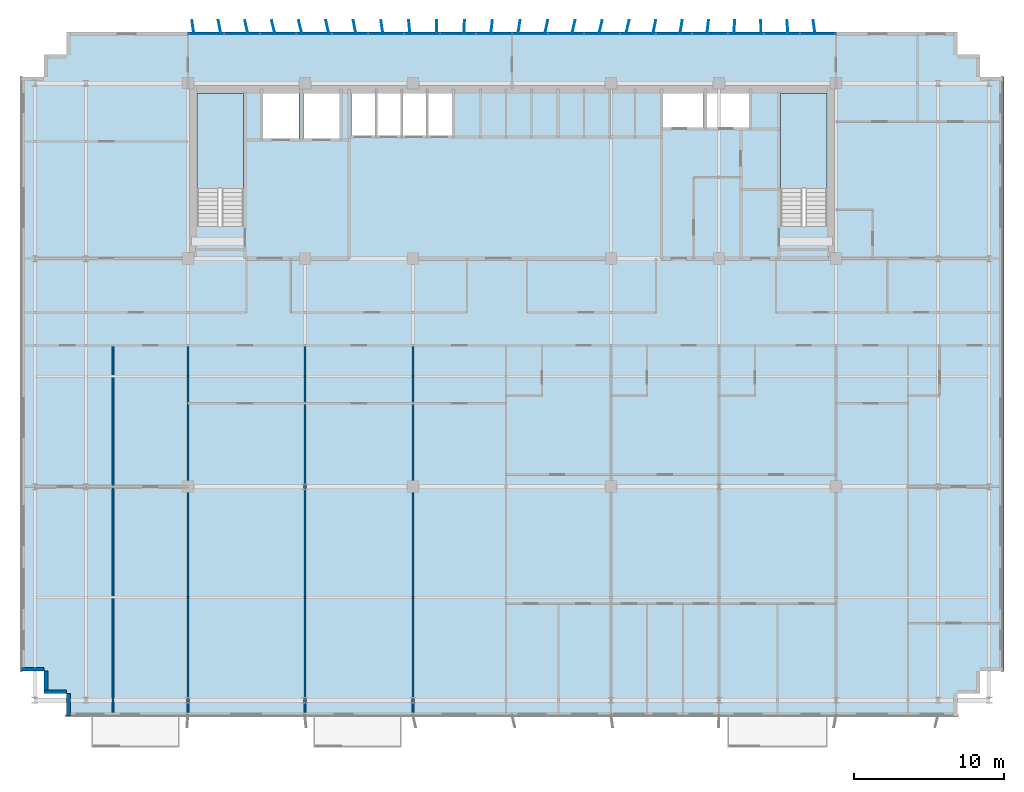
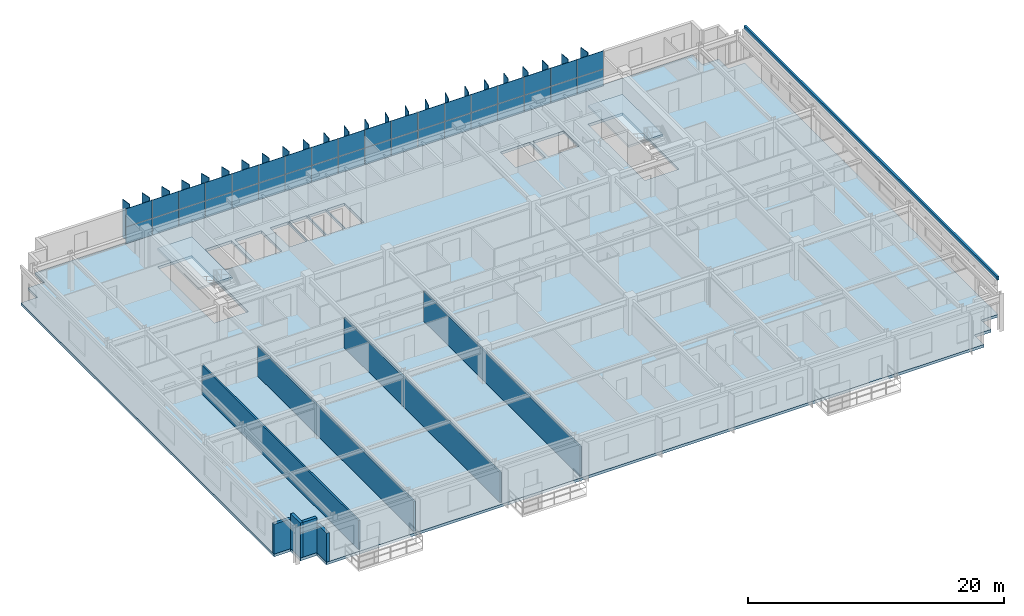
# One storey, part 13 of 22: 61 plates, 8 walls, 3 slabs, 3 elements without a shape of their own.
"""IFC4 building model written with IfcOpenShell, lengths in metres."""

from ifc_helpers import new_model, si_unit, direction, frame, frame_2d, origin, origin_2d, place, context, subcontext, project, spatial, polyline, rectangle, outline, extrude, source, transform, mapped, material, layer, layer_set, type_object, element, aggregate, save


model = new_model("IFC4")

# Units and contexts
model_context = context("Model", 3, precision=1e-05, world=origin(), true_north=direction((0.0, 1.0)))
body_context = subcontext(model_context, "Body", "Model", "MODEL_VIEW")
ifc_project = project(units=[si_unit("LENGTHUNIT", "METRE"), si_unit("AREAUNIT", "SQUARE_METRE"), si_unit("VOLUMEUNIT", "CUBIC_METRE"), si_unit("PLANEANGLEUNIT", "RADIAN"), si_unit("MASSUNIT", "GRAM", prefix="KILO")], contexts=[model_context])

# Site, building, storey
site_placement = place(None, origin())
site = spatial("IfcSite", under=ifc_project, at=site_placement, CompositionType="ELEMENT")
building_placement = place(site_placement, origin())
building = spatial("IfcBuilding", under=site, at=building_placement, Name="Trelvane Seafront Commons", CompositionType="ELEMENT")
storey_placement = place(building_placement, frame((0.0, 0.0, 88.89990234375)))
storey = spatial("IfcBuildingStorey", under=building, at=storey_placement, Name="L22", CompositionType="ELEMENT", Elevation=88.89990234375)

# Stair, slab
ifc_material_1 = material(Name="Concrete C40/50", Category="concrete")
stair_type_1 = type_object("IfcStairType", Name="ARCH-STR-ST-1-R20-180", PredefinedType="HALF_TURN_STAIR", material=ifc_material_1)
stair_1_placement = place(storey_placement, origin())
stair_1 = element("IfcStair", 1, at=stair_1_placement, inside=storey, type_object=stair_type_1, Name="L22 West Protected Firefighting Exit Stair ST-1", PredefinedType="HALF_TURN_STAIR")
ifc_layer_1 = layer(ifc_material_1, 0.199951171875, Name="ARCH-LND-200")
ifc_layer_set_1 = layer_set([ifc_layer_1], Name="Concrete C40/50")
slab_type_1 = type_object("IfcSlabType", Name="ARCH-LND-200", PredefinedType="LANDING", material=ifc_layer_set_1)
slab_1_placement = place(storey_placement, frame((0.0, 0.0, 1.60009765625)))
slab_1 = element("IfcSlab", 2, at=slab_1_placement, type_object=slab_type_1, Name="ST-1 landing 1", PredefinedType="LANDING", context=body_context, shape_type="SweptSolid", body=[
    extrude(outline(polyline([(19.300048828125, 38.070068359375), (19.300048828125, 44.39990234375), (16.199951171875, 44.39990234375), (16.199951171875, 38.070068359375), (19.300048828125, 38.070068359375)])), origin(), (0.0, 0.0, 1.0), 0.199951171875),
])
aggregate(stair_1, [slab_1])

stair_type_2 = type_object("IfcStairType", Name="ARCH-STR-ST-2-R20-180", PredefinedType="HALF_TURN_STAIR", material=ifc_material_1)
stair_2_placement = place(storey_placement, origin())
stair_2 = element("IfcStair", 3, at=stair_2_placement, inside=storey, type_object=stair_type_2, Name="L22 East Protected Firefighting Exit Stair ST-2", PredefinedType="HALF_TURN_STAIR")
slab_2_placement = place(storey_placement, frame((0.0, 0.0, 1.60009765625)))
slab_2 = element("IfcSlab", 4, at=slab_2_placement, type_object=slab_type_1, Name="ST-2 landing 1", PredefinedType="LANDING", context=body_context, shape_type="SweptSolid", body=[
    extrude(outline(polyline([(58.199951171875, 38.070068359375), (58.199951171875, 44.39990234375), (55.10009765625, 44.39990234375), (55.10009765625, 38.070068359375), (58.199951171875, 38.070068359375)])), origin(), (0.0, 0.0, 1.0), 0.199951171875),
])
aggregate(stair_2, [slab_2])

# Slab
ifc_material_2 = material(Name="Concrete C50/60", Category="concrete")
ifc_layer_2 = layer(ifc_material_2, 0.260009765625, Name="STR-SLB-Z1-260")
ifc_layer_set_2 = layer_set([ifc_layer_2], Name="Concrete C50/60")
slab_type_2 = type_object("IfcSlabType", Name="STR-SLB-Z1-260", PredefinedType="FLOOR", material=ifc_layer_set_2)
slab_3_placement = place(storey_placement, frame((0.0, 0.0, -0.260009765625)))
element("IfcSlab", 5, at=slab_3_placement, inside=storey, type_object=slab_type_2, Name="L22 Structural Floor Slab", PredefinedType="FLOOR", context=body_context, shape_type="SweptSolid", body=[
    extrude(outline(polyline([(7.5, 2.89990234375), (66.89990234375, 2.89990234375), (66.89990234375, 4.39990234375), (68.39990234375, 4.39990234375), (68.39990234375, 5.89990234375), (69.89990234375, 5.89990234375), (69.89990234375, 45.5), (68.39990234375, 45.5), (68.39990234375, 47.0), (66.89990234375, 47.0), (66.89990234375, 48.5), (7.5, 48.5), (7.5, 47.0), (6.0, 47.0), (6.0, 45.5), (4.5, 45.5), (4.5, 5.89990234375), (6.0, 5.89990234375), (6.0, 4.39990234375), (7.5, 4.39990234375), (7.5, 2.89990234375)]), holes=[polyline([(19.300048828125, 35.550048828125), (16.199951171875, 35.550048828125), (16.199951171875, 44.39990234375), (19.300048828125, 44.39990234375), (19.300048828125, 35.550048828125)]), polyline([(58.199951171875, 35.550048828125), (55.10009765625, 35.550048828125), (55.10009765625, 44.39990234375), (58.199951171875, 44.39990234375), (58.199951171875, 35.550048828125)]), polyline([(23.0, 41.39990234375), (20.60009765625, 41.39990234375), (20.60009765625, 44.60009765625), (23.0, 44.60009765625), (23.0, 41.39990234375)]), polyline([(23.300048828125, 41.39990234375), (23.300048828125, 44.60009765625), (25.699951171875, 44.60009765625), (25.699951171875, 41.39990234375), (23.300048828125, 41.39990234375)]), polyline([(26.5, 41.60009765625), (26.5, 44.60009765625), (28.1201171875, 44.60009765625), (28.1201171875, 41.60009765625), (26.5, 41.60009765625)]), polyline([(29.820068359375, 41.60009765625), (28.199951171875, 41.60009765625), (28.199951171875, 44.60009765625), (29.820068359375, 44.60009765625), (29.820068359375, 41.60009765625)]), polyline([(31.52001953125, 41.60009765625), (29.89990234375, 41.60009765625), (29.89990234375, 44.60009765625), (31.52001953125, 44.60009765625), (31.52001953125, 41.60009765625)]), polyline([(33.219970703125, 41.60009765625), (31.60009765625, 41.60009765625), (31.60009765625, 44.60009765625), (33.219970703125, 44.60009765625), (33.219970703125, 41.60009765625)]), polyline([(47.25, 42.14990234375), (47.25, 44.550048828125), (49.949951171875, 44.550048828125), (49.949951171875, 42.14990234375), (47.25, 42.14990234375)]), polyline([(50.199951171875, 42.14990234375), (50.199951171875, 44.550048828125), (53.0, 44.550048828125), (53.0, 42.14990234375), (50.199951171875, 42.14990234375)])]), origin(), (0.0, 0.0, 1.0), 0.260009765625),
])

# Plates
ifc_material_3 = material(Name="Anodised pale-silver aluminium", Category="aluminium")
ifc_layer_3 = layer(ifc_material_3, 0.06005859375, Name="ARCH-PLATE-FIN900")
ifc_layer_set_3 = layer_set([ifc_layer_3], Name="Anodised pale-silver aluminium")
plate_type_1 = type_object("IfcPlateType", Name="ARCH-PLATE-FIN900", PredefinedType="USERDEFINED", material=ifc_layer_set_3)
shared_shape_1 = source(origin(), body_context, "Body", "SweptSolid", [
    extrude(rectangle(XDim=0.89990234375, YDim=0.06005859375, at=origin_2d()), origin(), (0.0, 0.0, 1.0), 3.639892578125),
])
for number, where, z_axis, x_axis, name in (
    (6, (15.938232421875, 48.845703125, -0.02001953125), (0.0, 0.0, 1.0), (-0.137219803033, 0.99054062292, 0.0), "FIN-L22-00519"),
    (7, (17.71630859375, 48.84228515625, -0.02001953125), (0.0, 0.0, 1.0), (-0.185891273285, 0.982570320393, 0.0), "FIN-L22-00520"),
    (8, (19.500732421875, 48.8388671875, -0.02001953125), (0.0, 0.0, 1.0), (-0.22067019824, 0.975348483163, 0.0), "FIN-L22-00521"),
    (9, (21.29248046875, 48.8369140625, -0.02001953125), (0.0, 0.0, 1.0), (-0.239109698229, 0.970992560328, 0.0), "FIN-L22-00522"),
    (10, (23.091796875, 48.8369140625, -0.02001953125), (0.0, 0.0, 1.0), (-0.240234819351, 0.970714804446, 0.0), "FIN-L22-00523"),
    (11, (24.8994140625, 48.838623046875, -0.02001953125), (0.0, 0.0, 1.0), (-0.223772376661, 0.974641433268, 0.0), "FIN-L22-00524"),
    (12, (26.714111328125, 48.841796875, -0.02001953125), (0.0, 0.0, 1.0), (-0.190879238656, 0.981613526929, 0.0), "FIN-L22-00525"),
    (13, (28.535400390625, 48.84521484375, -0.02001953125), (0.0, 0.0, 1.0), (-0.143660164883, 0.989627079776, 0.0), "FIN-L22-00526"),
    (14, (30.361572265625, 48.848388671875, -0.02001953125), (0.0, 0.0, 1.0), (-0.085444746314, 0.996342910512, 0.0), "FIN-L22-00527"),
    (15, (32.190673828125, 48.849853515625, -0.02001953125), (0.0, 0.0, 1.0), (-0.020666717548, 0.999786420585, 0.0), "FIN-L22-00528"),
    (16, (34.0205078125, 48.849609375, -0.02001953125), (0.0, 0.0, 1.0), (0.045776201453, 0.998951720245, 0.0), "FIN-L22-00529"),
    (17, (35.848876953125, 48.847412109375, -0.02001953125), (0.0, 0.0, 1.0), (0.108663882778, 0.994078548496, 0.0), "FIN-L22-00530"),
    (18, (37.67333984375, 48.843994140625, -0.02001953125), (0.0, 0.0, 1.0), (0.163119331471, 0.986606346878, 0.0), "FIN-L22-00531"),
    (19, (39.492431640625, 48.84033203125, -0.02001953125), (0.0, 0.0, 1.0), (0.205232334092, 0.978713282347, 0.0), "FIN-L22-00532"),
    (20, (41.304443359375, 48.837646484375, -0.02001953125), (0.0, 0.0, 1.0), (0.232011056211, 0.972713148773, 0.0), "FIN-L22-00533"),
    (21, (43.10888671875, 48.836669921875, -0.02001953125), (0.0, 0.0, 1.0), (0.241881251735, 0.970305859025, 0.0), "FIN-L22-00534"),
    (22, (44.9052734375, 48.83740234375, -0.02001953125), (0.0, 0.0, 1.0), (0.234108877762, 0.972210385335, 0.0), "FIN-L22-00535"),
    (23, (46.694091796875, 48.840087890625, -0.02001953125), (0.0, 0.0, 1.0), (0.209217505168, 0.977869130064, 0.0), "FIN-L22-00536"),
    (24, (48.47607421875, 48.843505859375, -0.02001953125), (0.0, 0.0, 1.0), (0.168883332452, 0.985636048458, 0.0), "FIN-L22-00537"),
    (25, (50.251953125, 48.846923828125, -0.02001953125), (0.0, 0.0, 1.0), (0.115661832586, 0.993288649126, 0.0), "FIN-L22-00538"),
    (26, (52.024169921875, 48.849365234375, -0.02001953125), (0.0, 0.0, 1.0), (0.053555973018, 0.998564849048, 0.0), "FIN-L22-00539"),
    (27, (53.794189453125, 48.849853515625, -0.02001953125), (0.0, 0.0, 1.0), (-0.012667260923, 0.999919767032, 0.0), "FIN-L22-00540"),
    (28, (55.56494140625, 48.8486328125, -0.02001953125), (0.0, 0.0, 1.0), (-0.077996260859, 0.996953651526, 0.0), "FIN-L22-00541"),
    (29, (57.33837890625, 48.845703125, -0.02001953125), (0.0, 0.0, 1.0), (-0.137219803033, 0.99054062292, 0.0), "FIN-L22-00542"),
):
    element("IfcPlate", number, at=place(storey_placement, frame(where, z_axis=z_axis, x_axis=x_axis)), inside=storey, type_object=plate_type_1, Name=name, ObjectType="FIN", PredefinedType="USERDEFINED", context=body_context, shape_type="MappedRepresentation", body=[
        mapped(shared_shape_1, transform((0.0, 0.0, 0.0), x_axis=(1.0, 0.0, 0.0), y_axis=(0.0, 1.0, 0.0), z_axis=(0.0, 0.0, 1.0), scale=1.0)),
    ])
ifc_layer_4 = layer(ifc_material_3, 0.179931640625, Name="ARCH-PLATE-AERO")
ifc_layer_set_4 = layer_set([ifc_layer_4], Name="Anodised pale-silver aluminium")
plate_type_2 = type_object("IfcPlateType", Name="ARCH-PLATE-AERO", PredefinedType="SHEET", material=ifc_layer_set_4)
shared_shape_2 = source(origin(), body_context, "Body", "SweptSolid", [
    extrude(rectangle(XDim=39.60009765625, YDim=0.179931640625, at=origin_2d()), origin(), (0.0, 0.0, 1.0), 0.340087890625),
])
plate_1_placement = place(storey_placement, frame((69.89990234375, 25.699951171875, 3.2802734375), z_axis=(0.0, 0.0, 1.0), x_axis=(0.0, -1.0, 0.0)))
element("IfcPlate", 30, at=plate_1_placement, inside=storey, type_object=plate_type_2, Name="AER-L22-00079", PredefinedType="SHEET", context=body_context, shape_type="MappedRepresentation", body=[
    mapped(shared_shape_2, transform((0.0, 0.0, 0.0), x_axis=(1.0, 0.0, 0.0), y_axis=(0.0, 1.0, 0.0), z_axis=(0.0, 0.0, 1.0), scale=1.0)),
])

# Curtain wall, plates
curtain_wall_type = type_object("IfcCurtainWallType", Name="ARCH-CW4-SKYLOBBY", PredefinedType="NOTDEFINED", material=ifc_material_3)
curtain_wall_placement = place(storey_placement, origin())
curtain_wall = element("IfcCurtainWall", 31, at=curtain_wall_placement, inside=storey, type_object=curtain_wall_type, Name="CW-L22-0047", PredefinedType="NOTDEFINED")
ifc_material_4 = material(Name="Low-E coastal double glazing", Category="glass")
ifc_layer_5 = layer(ifc_material_4, 0.033935546875, Name="ARCH-CW-GLAZ-34")
ifc_layer_set_5 = layer_set([ifc_layer_5], Name="Low-E coastal double glazing")
plate_type_3 = type_object("IfcPlateType", Name="ARCH-CW-GLAZ-34", PredefinedType="CURTAIN_PANEL", material=ifc_layer_set_5)
shared_shape_3 = source(origin(), body_context, "Body", "SweptSolid", [
    extrude(rectangle(XDim=2.3759765625, YDim=0.0400390625, at=origin_2d()), origin(), (0.0, 0.0, 1.0), 1.5849609375),
])
plate_2_placement = place(storey_placement, frame((16.800048828125, 48.3701171875, 0.0), z_axis=(0.0, 0.0, 1.0), x_axis=(1.0, 0.0, 0.0)))
plate_2 = element("IfcPlate", 32, at=plate_2_placement, type_object=plate_type_3, Name="CW-L22-0047-P00-1", PredefinedType="CURTAIN_PANEL", context=body_context, shape_type="MappedRepresentation", body=[
    mapped(shared_shape_3, transform((0.0, 0.0, 0.0), x_axis=(1.0, 0.0, 0.0), y_axis=(0.0, 1.0, 0.0), z_axis=(0.0, 0.0, 1.0), scale=1.0)),
])
plate_3_placement = place(storey_placement, frame((19.199951171875, 48.3701171875, 0.0), z_axis=(0.0, 0.0, 1.0), x_axis=(1.0, 0.0, 0.0)))
plate_3 = element("IfcPlate", 33, at=plate_3_placement, type_object=plate_type_3, Name="CW-L22-0047-P01-1", PredefinedType="CURTAIN_PANEL", context=body_context, shape_type="MappedRepresentation", body=[
    mapped(shared_shape_3, transform((0.0, 0.0, 0.0), x_axis=(1.0, 0.0, 0.0), y_axis=(0.0, 1.0, 0.0), z_axis=(0.0, 0.0, 1.0), scale=1.0)),
])
plate_4_placement = place(storey_placement, frame((21.60009765625, 48.3701171875, 0.0), z_axis=(0.0, 0.0, 1.0), x_axis=(1.0, 0.0, 0.0)))
plate_4 = element("IfcPlate", 34, at=plate_4_placement, type_object=plate_type_3, Name="CW-L22-0047-P02-1", PredefinedType="CURTAIN_PANEL", context=body_context, shape_type="MappedRepresentation", body=[
    mapped(shared_shape_3, transform((0.0, 0.0, 0.0), x_axis=(1.0, 0.0, 0.0), y_axis=(0.0, 1.0, 0.0), z_axis=(0.0, 0.0, 1.0), scale=1.0)),
])
plate_5_placement = place(storey_placement, frame((24.0, 48.3701171875, 0.0), z_axis=(0.0, 0.0, 1.0), x_axis=(1.0, 0.0, 0.0)))
plate_5 = element("IfcPlate", 35, at=plate_5_placement, type_object=plate_type_3, Name="CW-L22-0047-P03-1", PredefinedType="CURTAIN_PANEL", context=body_context, shape_type="MappedRepresentation", body=[
    mapped(shared_shape_3, transform((0.0, 0.0, 0.0), x_axis=(1.0, 0.0, 0.0), y_axis=(0.0, 1.0, 0.0), z_axis=(0.0, 0.0, 1.0), scale=1.0)),
])
plate_6_placement = place(storey_placement, frame((26.39990234375, 48.3701171875, 0.0), z_axis=(0.0, 0.0, 1.0), x_axis=(1.0, 0.0, 0.0)))
plate_6 = element("IfcPlate", 36, at=plate_6_placement, type_object=plate_type_3, Name="CW-L22-0047-P04-1", PredefinedType="CURTAIN_PANEL", context=body_context, shape_type="MappedRepresentation", body=[
    mapped(shared_shape_3, transform((0.0, 0.0, 0.0), x_axis=(1.0, 0.0, 0.0), y_axis=(0.0, 1.0, 0.0), z_axis=(0.0, 0.0, 1.0), scale=1.0)),
])
plate_7_placement = place(storey_placement, frame((28.800048828125, 48.3701171875, 0.0), z_axis=(0.0, 0.0, 1.0), x_axis=(1.0, 0.0, 0.0)))
plate_7 = element("IfcPlate", 37, at=plate_7_placement, type_object=plate_type_3, Name="CW-L22-0047-P05-1", PredefinedType="CURTAIN_PANEL", context=body_context, shape_type="MappedRepresentation", body=[
    mapped(shared_shape_3, transform((0.0, 0.0, 0.0), x_axis=(1.0, 0.0, 0.0), y_axis=(0.0, 1.0, 0.0), z_axis=(0.0, 0.0, 1.0), scale=1.0)),
])
plate_8_placement = place(storey_placement, frame((31.199951171875, 48.3701171875, 0.0), z_axis=(0.0, 0.0, 1.0), x_axis=(1.0, 0.0, 0.0)))
plate_8 = element("IfcPlate", 38, at=plate_8_placement, type_object=plate_type_3, Name="CW-L22-0047-P06-1", PredefinedType="CURTAIN_PANEL", context=body_context, shape_type="MappedRepresentation", body=[
    mapped(shared_shape_3, transform((0.0, 0.0, 0.0), x_axis=(1.0, 0.0, 0.0), y_axis=(0.0, 1.0, 0.0), z_axis=(0.0, 0.0, 1.0), scale=1.0)),
])
plate_9_placement = place(storey_placement, frame((33.60009765625, 48.3701171875, 0.0), z_axis=(0.0, 0.0, 1.0), x_axis=(1.0, 0.0, 0.0)))
plate_9 = element("IfcPlate", 39, at=plate_9_placement, type_object=plate_type_3, Name="CW-L22-0047-P07-1", PredefinedType="CURTAIN_PANEL", context=body_context, shape_type="MappedRepresentation", body=[
    mapped(shared_shape_3, transform((0.0, 0.0, 0.0), x_axis=(1.0, 0.0, 0.0), y_axis=(0.0, 1.0, 0.0), z_axis=(0.0, 0.0, 1.0), scale=1.0)),
])
plate_10_placement = place(storey_placement, frame((36.0, 48.3701171875, 0.0), z_axis=(0.0, 0.0, 1.0), x_axis=(1.0, 0.0, 0.0)))
plate_10 = element("IfcPlate", 40, at=plate_10_placement, type_object=plate_type_3, Name="CW-L22-0047-P08-1", PredefinedType="CURTAIN_PANEL", context=body_context, shape_type="MappedRepresentation", body=[
    mapped(shared_shape_3, transform((0.0, 0.0, 0.0), x_axis=(1.0, 0.0, 0.0), y_axis=(0.0, 1.0, 0.0), z_axis=(0.0, 0.0, 1.0), scale=1.0)),
])
plate_11_placement = place(storey_placement, frame((38.39990234375, 48.3701171875, 0.0), z_axis=(0.0, 0.0, 1.0), x_axis=(1.0, 0.0, 0.0)))
plate_11 = element("IfcPlate", 41, at=plate_11_placement, type_object=plate_type_3, Name="CW-L22-0047-P09-1", PredefinedType="CURTAIN_PANEL", context=body_context, shape_type="MappedRepresentation", body=[
    mapped(shared_shape_3, transform((0.0, 0.0, 0.0), x_axis=(1.0, 0.0, 0.0), y_axis=(0.0, 1.0, 0.0), z_axis=(0.0, 0.0, 1.0), scale=1.0)),
])
plate_12_placement = place(storey_placement, frame((40.800048828125, 48.3701171875, 0.0), z_axis=(0.0, 0.0, 1.0), x_axis=(1.0, 0.0, 0.0)))
plate_12 = element("IfcPlate", 42, at=plate_12_placement, type_object=plate_type_3, Name="CW-L22-0047-P10-1", PredefinedType="CURTAIN_PANEL", context=body_context, shape_type="MappedRepresentation", body=[
    mapped(shared_shape_3, transform((0.0, 0.0, 0.0), x_axis=(1.0, 0.0, 0.0), y_axis=(0.0, 1.0, 0.0), z_axis=(0.0, 0.0, 1.0), scale=1.0)),
])
plate_13_placement = place(storey_placement, frame((43.199951171875, 48.3701171875, 0.0), z_axis=(0.0, 0.0, 1.0), x_axis=(1.0, 0.0, 0.0)))
plate_13 = element("IfcPlate", 43, at=plate_13_placement, type_object=plate_type_3, Name="CW-L22-0047-P11-1", PredefinedType="CURTAIN_PANEL", context=body_context, shape_type="MappedRepresentation", body=[
    mapped(shared_shape_3, transform((0.0, 0.0, 0.0), x_axis=(1.0, 0.0, 0.0), y_axis=(0.0, 1.0, 0.0), z_axis=(0.0, 0.0, 1.0), scale=1.0)),
])
plate_14_placement = place(storey_placement, frame((45.60009765625, 48.3701171875, 0.0), z_axis=(0.0, 0.0, 1.0), x_axis=(1.0, 0.0, 0.0)))
plate_14 = element("IfcPlate", 44, at=plate_14_placement, type_object=plate_type_3, Name="CW-L22-0047-P12-1", PredefinedType="CURTAIN_PANEL", context=body_context, shape_type="MappedRepresentation", body=[
    mapped(shared_shape_3, transform((0.0, 0.0, 0.0), x_axis=(1.0, 0.0, 0.0), y_axis=(0.0, 1.0, 0.0), z_axis=(0.0, 0.0, 1.0), scale=1.0)),
])
plate_15_placement = place(storey_placement, frame((48.0, 48.3701171875, 0.0), z_axis=(0.0, 0.0, 1.0), x_axis=(1.0, 0.0, 0.0)))
plate_15 = element("IfcPlate", 45, at=plate_15_placement, type_object=plate_type_3, Name="CW-L22-0047-P13-1", PredefinedType="CURTAIN_PANEL", context=body_context, shape_type="MappedRepresentation", body=[
    mapped(shared_shape_3, transform((0.0, 0.0, 0.0), x_axis=(1.0, 0.0, 0.0), y_axis=(0.0, 1.0, 0.0), z_axis=(0.0, 0.0, 1.0), scale=1.0)),
])
plate_16_placement = place(storey_placement, frame((50.39990234375, 48.3701171875, 0.0), z_axis=(0.0, 0.0, 1.0), x_axis=(1.0, 0.0, 0.0)))
plate_16 = element("IfcPlate", 46, at=plate_16_placement, type_object=plate_type_3, Name="CW-L22-0047-P14-1", PredefinedType="CURTAIN_PANEL", context=body_context, shape_type="MappedRepresentation", body=[
    mapped(shared_shape_3, transform((0.0, 0.0, 0.0), x_axis=(1.0, 0.0, 0.0), y_axis=(0.0, 1.0, 0.0), z_axis=(0.0, 0.0, 1.0), scale=1.0)),
])
plate_17_placement = place(storey_placement, frame((52.800048828125, 48.3701171875, 0.0), z_axis=(0.0, 0.0, 1.0), x_axis=(1.0, 0.0, 0.0)))
plate_17 = element("IfcPlate", 47, at=plate_17_placement, type_object=plate_type_3, Name="CW-L22-0047-P15-1", PredefinedType="CURTAIN_PANEL", context=body_context, shape_type="MappedRepresentation", body=[
    mapped(shared_shape_3, transform((0.0, 0.0, 0.0), x_axis=(1.0, 0.0, 0.0), y_axis=(0.0, 1.0, 0.0), z_axis=(0.0, 0.0, 1.0), scale=1.0)),
])
plate_18_placement = place(storey_placement, frame((55.199951171875, 48.3701171875, 0.0), z_axis=(0.0, 0.0, 1.0), x_axis=(1.0, 0.0, 0.0)))
plate_18 = element("IfcPlate", 48, at=plate_18_placement, type_object=plate_type_3, Name="CW-L22-0047-P16-1", PredefinedType="CURTAIN_PANEL", context=body_context, shape_type="MappedRepresentation", body=[
    mapped(shared_shape_3, transform((0.0, 0.0, 0.0), x_axis=(1.0, 0.0, 0.0), y_axis=(0.0, 1.0, 0.0), z_axis=(0.0, 0.0, 1.0), scale=1.0)),
])
plate_19_placement = place(storey_placement, frame((57.60009765625, 48.3701171875, 0.0), z_axis=(0.0, 0.0, 1.0), x_axis=(1.0, 0.0, 0.0)))
plate_19 = element("IfcPlate", 49, at=plate_19_placement, type_object=plate_type_3, Name="CW-L22-0047-P17-1", PredefinedType="CURTAIN_PANEL", context=body_context, shape_type="MappedRepresentation", body=[
    mapped(shared_shape_3, transform((0.0, 0.0, 0.0), x_axis=(1.0, 0.0, 0.0), y_axis=(0.0, 1.0, 0.0), z_axis=(0.0, 0.0, 1.0), scale=1.0)),
])
shared_shape_4 = source(origin(), body_context, "Body", "SweptSolid", [
    extrude(rectangle(XDim=2.3759765625, YDim=0.0400390625, at=origin_2d()), origin(), (0.0, 0.0, 1.0), 1.718994140625),
])
plate_20_placement = place(storey_placement, frame((16.800048828125, 48.3701171875, 1.62109375), z_axis=(0.0, 0.0, 1.0), x_axis=(1.0, 0.0, 0.0)))
plate_20 = element("IfcPlate", 50, at=plate_20_placement, type_object=plate_type_3, Name="CW-L22-0047-P00-2", PredefinedType="CURTAIN_PANEL", context=body_context, shape_type="MappedRepresentation", body=[
    mapped(shared_shape_4, transform((0.0, 0.0, 0.0), x_axis=(1.0, 0.0, 0.0), y_axis=(0.0, 1.0, 0.0), z_axis=(0.0, 0.0, 1.0), scale=1.0)),
])
plate_21_placement = place(storey_placement, frame((19.199951171875, 48.3701171875, 1.62109375), z_axis=(0.0, 0.0, 1.0), x_axis=(1.0, 0.0, 0.0)))
plate_21 = element("IfcPlate", 51, at=plate_21_placement, type_object=plate_type_3, Name="CW-L22-0047-P01-2", PredefinedType="CURTAIN_PANEL", context=body_context, shape_type="MappedRepresentation", body=[
    mapped(shared_shape_4, transform((0.0, 0.0, 0.0), x_axis=(1.0, 0.0, 0.0), y_axis=(0.0, 1.0, 0.0), z_axis=(0.0, 0.0, 1.0), scale=1.0)),
])
plate_22_placement = place(storey_placement, frame((21.60009765625, 48.3701171875, 1.62109375), z_axis=(0.0, 0.0, 1.0), x_axis=(1.0, 0.0, 0.0)))
plate_22 = element("IfcPlate", 52, at=plate_22_placement, type_object=plate_type_3, Name="CW-L22-0047-P02-2", PredefinedType="CURTAIN_PANEL", context=body_context, shape_type="MappedRepresentation", body=[
    mapped(shared_shape_4, transform((0.0, 0.0, 0.0), x_axis=(1.0, 0.0, 0.0), y_axis=(0.0, 1.0, 0.0), z_axis=(0.0, 0.0, 1.0), scale=1.0)),
])
plate_23_placement = place(storey_placement, frame((24.0, 48.3701171875, 1.62109375), z_axis=(0.0, 0.0, 1.0), x_axis=(1.0, 0.0, 0.0)))
plate_23 = element("IfcPlate", 53, at=plate_23_placement, type_object=plate_type_3, Name="CW-L22-0047-P03-2", PredefinedType="CURTAIN_PANEL", context=body_context, shape_type="MappedRepresentation", body=[
    mapped(shared_shape_4, transform((0.0, 0.0, 0.0), x_axis=(1.0, 0.0, 0.0), y_axis=(0.0, 1.0, 0.0), z_axis=(0.0, 0.0, 1.0), scale=1.0)),
])
plate_24_placement = place(storey_placement, frame((26.39990234375, 48.3701171875, 1.62109375), z_axis=(0.0, 0.0, 1.0), x_axis=(1.0, 0.0, 0.0)))
plate_24 = element("IfcPlate", 54, at=plate_24_placement, type_object=plate_type_3, Name="CW-L22-0047-P04-2", PredefinedType="CURTAIN_PANEL", context=body_context, shape_type="MappedRepresentation", body=[
    mapped(shared_shape_4, transform((0.0, 0.0, 0.0), x_axis=(1.0, 0.0, 0.0), y_axis=(0.0, 1.0, 0.0), z_axis=(0.0, 0.0, 1.0), scale=1.0)),
])
plate_25_placement = place(storey_placement, frame((28.800048828125, 48.3701171875, 1.62109375), z_axis=(0.0, 0.0, 1.0), x_axis=(1.0, 0.0, 0.0)))
plate_25 = element("IfcPlate", 55, at=plate_25_placement, type_object=plate_type_3, Name="CW-L22-0047-P05-2", PredefinedType="CURTAIN_PANEL", context=body_context, shape_type="MappedRepresentation", body=[
    mapped(shared_shape_4, transform((0.0, 0.0, 0.0), x_axis=(1.0, 0.0, 0.0), y_axis=(0.0, 1.0, 0.0), z_axis=(0.0, 0.0, 1.0), scale=1.0)),
])
plate_26_placement = place(storey_placement, frame((31.199951171875, 48.3701171875, 1.62109375), z_axis=(0.0, 0.0, 1.0), x_axis=(1.0, 0.0, 0.0)))
plate_26 = element("IfcPlate", 56, at=plate_26_placement, type_object=plate_type_3, Name="CW-L22-0047-P06-2", PredefinedType="CURTAIN_PANEL", context=body_context, shape_type="MappedRepresentation", body=[
    mapped(shared_shape_4, transform((0.0, 0.0, 0.0), x_axis=(1.0, 0.0, 0.0), y_axis=(0.0, 1.0, 0.0), z_axis=(0.0, 0.0, 1.0), scale=1.0)),
])
plate_27_placement = place(storey_placement, frame((33.60009765625, 48.3701171875, 1.62109375), z_axis=(0.0, 0.0, 1.0), x_axis=(1.0, 0.0, 0.0)))
plate_27 = element("IfcPlate", 57, at=plate_27_placement, type_object=plate_type_3, Name="CW-L22-0047-P07-2", PredefinedType="CURTAIN_PANEL", context=body_context, shape_type="MappedRepresentation", body=[
    mapped(shared_shape_4, transform((0.0, 0.0, 0.0), x_axis=(1.0, 0.0, 0.0), y_axis=(0.0, 1.0, 0.0), z_axis=(0.0, 0.0, 1.0), scale=1.0)),
])
plate_28_placement = place(storey_placement, frame((36.0, 48.3701171875, 1.62109375), z_axis=(0.0, 0.0, 1.0), x_axis=(1.0, 0.0, 0.0)))
plate_28 = element("IfcPlate", 58, at=plate_28_placement, type_object=plate_type_3, Name="CW-L22-0047-P08-2", PredefinedType="CURTAIN_PANEL", context=body_context, shape_type="MappedRepresentation", body=[
    mapped(shared_shape_4, transform((0.0, 0.0, 0.0), x_axis=(1.0, 0.0, 0.0), y_axis=(0.0, 1.0, 0.0), z_axis=(0.0, 0.0, 1.0), scale=1.0)),
])
plate_29_placement = place(storey_placement, frame((38.39990234375, 48.3701171875, 1.62109375), z_axis=(0.0, 0.0, 1.0), x_axis=(1.0, 0.0, 0.0)))
plate_29 = element("IfcPlate", 59, at=plate_29_placement, type_object=plate_type_3, Name="CW-L22-0047-P09-2", PredefinedType="CURTAIN_PANEL", context=body_context, shape_type="MappedRepresentation", body=[
    mapped(shared_shape_4, transform((0.0, 0.0, 0.0), x_axis=(1.0, 0.0, 0.0), y_axis=(0.0, 1.0, 0.0), z_axis=(0.0, 0.0, 1.0), scale=1.0)),
])
plate_30_placement = place(storey_placement, frame((40.800048828125, 48.3701171875, 1.62109375), z_axis=(0.0, 0.0, 1.0), x_axis=(1.0, 0.0, 0.0)))
plate_30 = element("IfcPlate", 60, at=plate_30_placement, type_object=plate_type_3, Name="CW-L22-0047-P10-2", PredefinedType="CURTAIN_PANEL", context=body_context, shape_type="MappedRepresentation", body=[
    mapped(shared_shape_4, transform((0.0, 0.0, 0.0), x_axis=(1.0, 0.0, 0.0), y_axis=(0.0, 1.0, 0.0), z_axis=(0.0, 0.0, 1.0), scale=1.0)),
])
plate_31_placement = place(storey_placement, frame((43.199951171875, 48.3701171875, 1.62109375), z_axis=(0.0, 0.0, 1.0), x_axis=(1.0, 0.0, 0.0)))
plate_31 = element("IfcPlate", 61, at=plate_31_placement, type_object=plate_type_3, Name="CW-L22-0047-P11-2", PredefinedType="CURTAIN_PANEL", context=body_context, shape_type="MappedRepresentation", body=[
    mapped(shared_shape_4, transform((0.0, 0.0, 0.0), x_axis=(1.0, 0.0, 0.0), y_axis=(0.0, 1.0, 0.0), z_axis=(0.0, 0.0, 1.0), scale=1.0)),
])
plate_32_placement = place(storey_placement, frame((45.60009765625, 48.3701171875, 1.62109375), z_axis=(0.0, 0.0, 1.0), x_axis=(1.0, 0.0, 0.0)))
plate_32 = element("IfcPlate", 62, at=plate_32_placement, type_object=plate_type_3, Name="CW-L22-0047-P12-2", PredefinedType="CURTAIN_PANEL", context=body_context, shape_type="MappedRepresentation", body=[
    mapped(shared_shape_4, transform((0.0, 0.0, 0.0), x_axis=(1.0, 0.0, 0.0), y_axis=(0.0, 1.0, 0.0), z_axis=(0.0, 0.0, 1.0), scale=1.0)),
])
plate_33_placement = place(storey_placement, frame((48.0, 48.3701171875, 1.62109375), z_axis=(0.0, 0.0, 1.0), x_axis=(1.0, 0.0, 0.0)))
plate_33 = element("IfcPlate", 63, at=plate_33_placement, type_object=plate_type_3, Name="CW-L22-0047-P13-2", PredefinedType="CURTAIN_PANEL", context=body_context, shape_type="MappedRepresentation", body=[
    mapped(shared_shape_4, transform((0.0, 0.0, 0.0), x_axis=(1.0, 0.0, 0.0), y_axis=(0.0, 1.0, 0.0), z_axis=(0.0, 0.0, 1.0), scale=1.0)),
])
plate_34_placement = place(storey_placement, frame((50.39990234375, 48.3701171875, 1.62109375), z_axis=(0.0, 0.0, 1.0), x_axis=(1.0, 0.0, 0.0)))
plate_34 = element("IfcPlate", 64, at=plate_34_placement, type_object=plate_type_3, Name="CW-L22-0047-P14-2", PredefinedType="CURTAIN_PANEL", context=body_context, shape_type="MappedRepresentation", body=[
    mapped(shared_shape_4, transform((0.0, 0.0, 0.0), x_axis=(1.0, 0.0, 0.0), y_axis=(0.0, 1.0, 0.0), z_axis=(0.0, 0.0, 1.0), scale=1.0)),
])
plate_35_placement = place(storey_placement, frame((52.800048828125, 48.3701171875, 1.62109375), z_axis=(0.0, 0.0, 1.0), x_axis=(1.0, 0.0, 0.0)))
plate_35 = element("IfcPlate", 65, at=plate_35_placement, type_object=plate_type_3, Name="CW-L22-0047-P15-2", PredefinedType="CURTAIN_PANEL", context=body_context, shape_type="MappedRepresentation", body=[
    mapped(shared_shape_4, transform((0.0, 0.0, 0.0), x_axis=(1.0, 0.0, 0.0), y_axis=(0.0, 1.0, 0.0), z_axis=(0.0, 0.0, 1.0), scale=1.0)),
])
plate_36_placement = place(storey_placement, frame((55.199951171875, 48.3701171875, 1.62109375), z_axis=(0.0, 0.0, 1.0), x_axis=(1.0, 0.0, 0.0)))
plate_36 = element("IfcPlate", 66, at=plate_36_placement, type_object=plate_type_3, Name="CW-L22-0047-P16-2", PredefinedType="CURTAIN_PANEL", context=body_context, shape_type="MappedRepresentation", body=[
    mapped(shared_shape_4, transform((0.0, 0.0, 0.0), x_axis=(1.0, 0.0, 0.0), y_axis=(0.0, 1.0, 0.0), z_axis=(0.0, 0.0, 1.0), scale=1.0)),
])
plate_37_placement = place(storey_placement, frame((57.60009765625, 48.3701171875, 1.62109375), z_axis=(0.0, 0.0, 1.0), x_axis=(1.0, 0.0, 0.0)))
plate_37 = element("IfcPlate", 67, at=plate_37_placement, type_object=plate_type_3, Name="CW-L22-0047-P17-2", PredefinedType="CURTAIN_PANEL", context=body_context, shape_type="MappedRepresentation", body=[
    mapped(shared_shape_4, transform((0.0, 0.0, 0.0), x_axis=(1.0, 0.0, 0.0), y_axis=(0.0, 1.0, 0.0), z_axis=(0.0, 0.0, 1.0), scale=1.0)),
])
aggregate(curtain_wall, [plate_2, plate_20, plate_3, plate_21, plate_4, plate_22, plate_5, plate_23, plate_6, plate_24, plate_7, plate_25, plate_8, plate_26, plate_9, plate_27, plate_10, plate_28, plate_11, plate_29, plate_12, plate_30, plate_13, plate_31, plate_14, plate_32, plate_15, plate_33, plate_16, plate_34, plate_17, plate_35, plate_18, plate_36, plate_19, plate_37])

# Walls
ifc_material_5 = material(Name="Precast concrete C40/50", Category="concrete")
ifc_layer_6 = layer(ifc_material_5, 0.260009765625, Name="ARCH-WALL-EXT260")
ifc_layer_set_6 = layer_set([ifc_layer_6], Name="Precast concrete C40/50")
wall_type_1 = type_object("IfcWallType", Name="ARCH-WALL-EXT260", PredefinedType="SOLIDWALL", material=ifc_layer_set_6)
for number, where, z_axis, x_axis, name in (
    (68, (7.5, 4.530029296875, 0.0), (0.0, 0.0, 1.0), (-1.0, 0.0, 0.0), "EW-L22-00393"),
    (69, (6.1298828125, 4.39990234375, 0.0), (0.0, 0.0, 1.0), (0.0, 1.0, 0.0), "EW-L22-00394"),
):
    element("IfcWall", number, at=place(storey_placement, frame(where, z_axis=z_axis, x_axis=x_axis)), inside=storey, type_object=wall_type_1, Name=name, PredefinedType="SOLIDWALL", context=body_context, shape_type="SweptSolid", body=[
        extrude(rectangle(XDim=1.5, YDim=0.260009765625, at=frame_2d((0.75, 0.0))), origin(), (0.0, 0.0, 1.0), 3.340087890625),
    ])
wall_1_placement = place(storey_placement, frame((6.0, 6.030029296875, 0.0), z_axis=(0.0, 0.0, 1.0), x_axis=(-1.0, 0.0, 0.0)))
element("IfcWall", 70, at=wall_1_placement, inside=storey, type_object=wall_type_1, Name="EW-L22-00395", PredefinedType="SOLIDWALL", context=body_context, shape_type="SweptSolid", body=[
    extrude(rectangle(XDim=1.5, YDim=0.260009765625, at=frame_2d((0.75, 0.0))), origin(), (0.0, 0.0, 1.0), 2.840087890625),
])
wall_2_placement = place(storey_placement, frame((7.6298828125, 2.89990234375, 0.0), z_axis=(0.0, 0.0, 1.0), x_axis=(0.0, 1.0, 0.0)))
element("IfcWall", 71, at=wall_2_placement, inside=storey, type_object=wall_type_1, Name="EW-L22-00411", PredefinedType="SOLIDWALL", context=body_context, shape_type="SweptSolid", body=[
    extrude(rectangle(XDim=1.5, YDim=0.260009765625, at=frame_2d((0.75, 0.0))), origin(), (0.0, 0.0, 1.0), 2.752197265625),
])
ifc_material_6 = material(Name="Gypsum Drywall Acoustic Partition")
ifc_layer_7 = layer(ifc_material_6, 0.14990234375, Name="ARCH-WALL-PART150")
ifc_layer_set_7 = layer_set([ifc_layer_7], Name="Gypsum Drywall Acoustic Partition")
wall_type_2 = type_object("IfcWallType", Name="ARCH-WALL-PART150", PredefinedType="PARTITIONING", material=ifc_layer_set_7)
wall_3_placement = place(storey_placement, frame((10.60009765625, 3.14501953125, 0.0), z_axis=(0.0, 0.0, 1.0), x_axis=(0.0, 1.0, 0.0)))
element("IfcWall", 72, at=wall_3_placement, inside=storey, type_object=wall_type_2, Name="W-L22-PW-1-060", PredefinedType="PARTITIONING", context=body_context, shape_type="SweptSolid", body=[
    extrude(rectangle(XDim=24.455078125, YDim=0.14990234375, at=frame_2d((12.2275390625, 0.0))), origin(), (0.0, 0.0, 1.0), 2.752197265625),
])
for number, where, z_axis, x_axis, name in (
    (73, (15.60009765625, 3.14501953125, 0.0), (0.0, 0.0, 1.0), (0.0, 1.0, 0.0), "W-L22-PW-2-061"),
    (74, (23.39990234375, 3.14501953125, 0.0), (0.0, 0.0, 1.0), (0.0, 1.0, 0.0), "W-L22-PW-3-062"),
    (75, (30.60009765625, 3.14501953125, 0.0), (0.0, 0.0, 1.0), (0.0, 1.0, 0.0), "W-L22-PW-4-063"),
):
    element("IfcWall", number, at=place(storey_placement, frame(where, z_axis=z_axis, x_axis=x_axis)), inside=storey, type_object=wall_type_2, Name=name, PredefinedType="PARTITIONING", context=body_context, shape_type="SweptSolid", body=[
        extrude(rectangle(XDim=24.455078125, YDim=0.14990234375, at=frame_2d((12.2275390625, 0.0))), origin(), (0.0, 0.0, 1.0), 2.840087890625),
    ])

save(model, "model.ifc")
